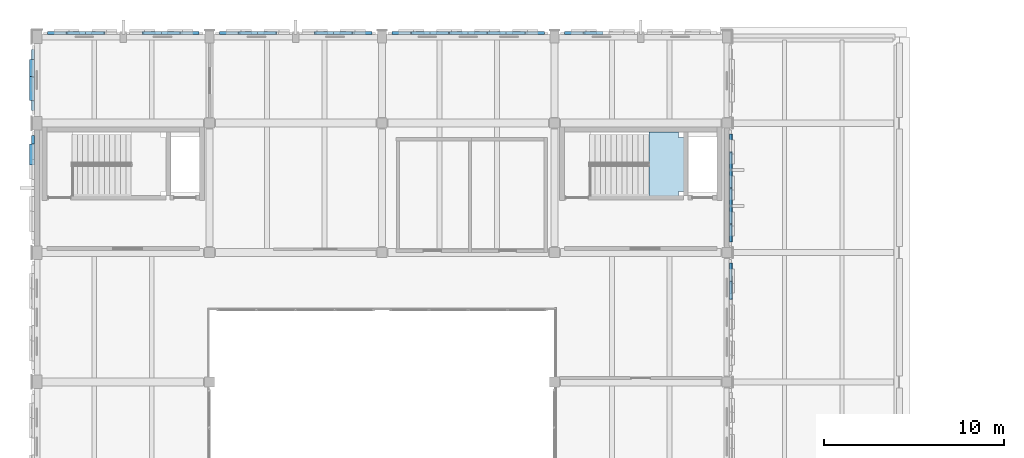
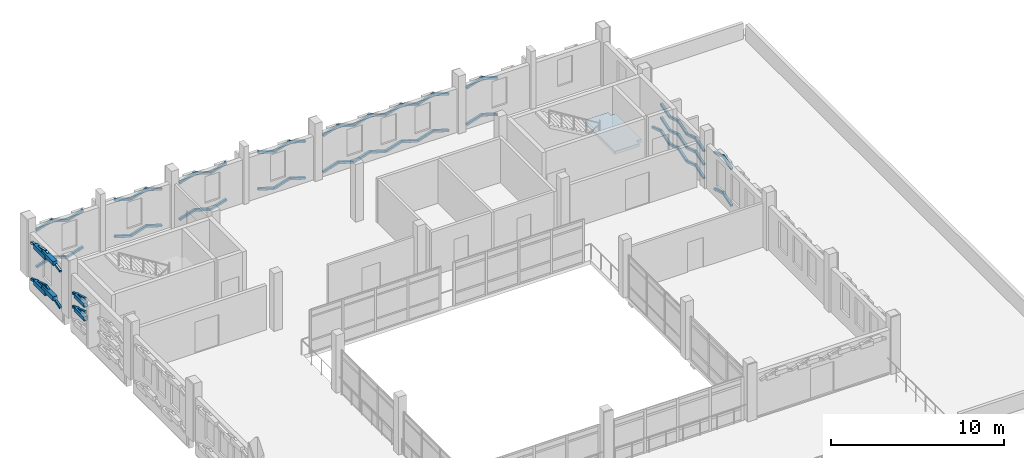
# One storey, part 31 of 50: 76 plates, 1 slab, 1 element without a shape of its own.
"""IFC4 building model written with IfcOpenShell, lengths in metres."""

from ifc_helpers import new_model, si_unit, direction, frame, origin, origin_2d, place, context, subcontext, project, spatial, polyline, rectangle, hollow_rectangle, outline, extrude, material, layer, layer_set, material_profile, profile_set, type_object, element, aggregate, save


model = new_model("IFC4")

# Units and contexts
model_context = context("Model", 3, precision=1e-05, world=origin(), true_north=direction((0.0, 1.0)))
body_context = subcontext(model_context, "Body", "Model", "MODEL_VIEW")
ifc_project = project(units=[si_unit("LENGTHUNIT", "METRE"), si_unit("AREAUNIT", "SQUARE_METRE"), si_unit("VOLUMEUNIT", "CUBIC_METRE"), si_unit("PLANEANGLEUNIT", "RADIAN"), si_unit("MASSUNIT", "GRAM", prefix="KILO")], contexts=[model_context])

# Site, building, storey
site_placement = place(None, origin())
site = spatial("IfcSite", under=ifc_project, at=site_placement, CompositionType="ELEMENT")
building_placement = place(site_placement, origin())
building = spatial("IfcBuilding", under=site, at=building_placement, Name="Asteropetra Specialist Clinic", CompositionType="ELEMENT")
storey_placement = place(building_placement, frame((0.0, 0.0, 16.659912109375)))
storey = spatial("IfcBuildingStorey", under=building, at=storey_placement, Name="L04", CompositionType="ELEMENT", Elevation=16.659912109375)

# Plates
ifc_material_1 = material(Name="Chevron emerald aluminium 6063-T6", Category="aluminium")
ifc_material_profile = material_profile(ifc_material_1, hollow_rectangle(XDim=0.159912109375, YDim=0.159912109375, WallThickness=0.008056640625, InnerFilletRadius=0.008056640625, OuterFilletRadius=0.01611328125, at=origin_2d()), Name="SHS 160x160x8.0")
ifc_profile_set = profile_set([ifc_material_profile], Name="Chevron emerald aluminium 6063-T6")
plate_type_1 = type_object("IfcPlateType", Name="CHV-RIB-160", PredefinedType="SHEET", material=ifc_profile_set)
plate_1_placement = place(storey_placement, frame((9.010009765625, 110.616943359375, 0.050048828125), z_axis=(-0.952021547516, 0.0, 0.306031000169), x_axis=(0.0, -1.0, 0.0)))
element("IfcPlate", 1, at=plate_1_placement, inside=storey, type_object=plate_type_1, Name="Chevron Facade Screen Fin CVR-1489", PredefinedType="SHEET", context=body_context, shape_type="SweptSolid", body=[
    extrude(hollow_rectangle(XDim=0.159912109375, YDim=0.159912109375, WallThickness=0.008056640625, InnerFilletRadius=0.008056640625, OuterFilletRadius=0.01611328125, at=origin_2d()), origin(), (0.0, 0.0, 1.0), 1.086669921875),
])
for number, where, z_axis, x_axis, name in (
    (2, (7.9755859375, 110.616943359375, 0.382568359375), (-0.952000497205, 0.0, -0.306096477147), (0.0, -1.0, 0.0), "Chevron Facade Screen Fin CVR-1490"),
    (3, (9.010009765625, 110.616943359375, 2.64013671875), (-0.952086993927, 0.0, 0.30582733036), (0.0, -1.0, 0.0), "Chevron Facade Screen Fin CVR-1491"),
):
    element("IfcPlate", number, at=place(storey_placement, frame(where, z_axis=z_axis, x_axis=x_axis)), inside=storey, type_object=plate_type_1, Name=name, PredefinedType="SHEET", context=body_context, shape_type="SweptSolid", body=[
        extrude(hollow_rectangle(XDim=0.159912109375, YDim=0.159912109375, WallThickness=0.008056640625, InnerFilletRadius=0.008056640625, OuterFilletRadius=0.01611328125, at=origin_2d()), origin(), (0.0, 0.0, 1.0), 1.08642578125),
    ])
plate_2_placement = place(storey_placement, frame((7.9755859375, 110.616943359375, 2.972412109375), z_axis=(-0.952065970179, 0.0, -0.305892772761), x_axis=(0.0, -1.0, 0.0)))
element("IfcPlate", 4, at=plate_2_placement, inside=storey, type_object=plate_type_1, Name="Chevron Facade Screen Fin CVR-1492", PredefinedType="SHEET", context=body_context, shape_type="SweptSolid", body=[
    extrude(hollow_rectangle(XDim=0.159912109375, YDim=0.159912109375, WallThickness=0.008056640625, InnerFilletRadius=0.008056640625, OuterFilletRadius=0.01611328125, at=origin_2d()), origin(), (0.0, 0.0, 1.0), 1.086181640625),
])
plate_3_placement = place(storey_placement, frame((6.9013671875, 110.616943359375, 0.050048828125), z_axis=(-0.952021547516, 0.0, 0.306031000169), x_axis=(0.0, -1.0, 0.0)))
element("IfcPlate", 5, at=plate_3_placement, inside=storey, type_object=plate_type_1, Name="Chevron Facade Screen Fin CVR-1493", PredefinedType="SHEET", context=body_context, shape_type="SweptSolid", body=[
    extrude(hollow_rectangle(XDim=0.159912109375, YDim=0.159912109375, WallThickness=0.008056640625, InnerFilletRadius=0.008056640625, OuterFilletRadius=0.01611328125, at=origin_2d()), origin(), (0.0, 0.0, 1.0), 1.086669921875),
])
plate_4_placement = place(storey_placement, frame((6.9013671875, 110.616943359375, 2.64013671875), z_axis=(-0.952086993927, 0.0, 0.30582733036), x_axis=(0.0, -1.0, 0.0)))
element("IfcPlate", 6, at=plate_4_placement, inside=storey, type_object=plate_type_1, Name="Chevron Facade Screen Fin CVR-1494", PredefinedType="SHEET", context=body_context, shape_type="SweptSolid", body=[
    extrude(hollow_rectangle(XDim=0.159912109375, YDim=0.159912109375, WallThickness=0.008056640625, InnerFilletRadius=0.008056640625, OuterFilletRadius=0.01611328125, at=origin_2d()), origin(), (0.0, 0.0, 1.0), 1.08642578125),
])
plate_5_placement = place(storey_placement, frame((3.758056640625, 110.616943359375, 0.382568359375), z_axis=(-0.952021547516, 0.0, -0.306031000169), x_axis=(0.0, -1.0, 0.0)))
element("IfcPlate", 7, at=plate_5_placement, inside=storey, type_object=plate_type_1, Name="Chevron Facade Screen Fin CVR-1495", PredefinedType="SHEET", context=body_context, shape_type="SweptSolid", body=[
    extrude(hollow_rectangle(XDim=0.159912109375, YDim=0.159912109375, WallThickness=0.008056640625, InnerFilletRadius=0.008056640625, OuterFilletRadius=0.01611328125, at=origin_2d()), origin(), (0.0, 0.0, 1.0), 1.086669921875),
])
plate_6_placement = place(storey_placement, frame((3.758056640625, 110.616943359375, 2.972412109375), z_axis=(-0.952086993927, 0.0, -0.30582733036), x_axis=(0.0, -1.0, 0.0)))
element("IfcPlate", 8, at=plate_6_placement, inside=storey, type_object=plate_type_1, Name="Chevron Facade Screen Fin CVR-1496", PredefinedType="SHEET", context=body_context, shape_type="SweptSolid", body=[
    extrude(hollow_rectangle(XDim=0.159912109375, YDim=0.159912109375, WallThickness=0.008056640625, InnerFilletRadius=0.008056640625, OuterFilletRadius=0.01611328125, at=origin_2d()), origin(), (0.0, 0.0, 1.0), 1.08642578125),
])
for number, where, z_axis, x_axis, name in (
    (9, (2.683837890625, 110.616943359375, 0.050048828125), (-0.952021547516, 0.0, 0.306031000169), (0.0, -1.0, 0.0), "Chevron Facade Screen Fin CVR-1497"),
    (10, (1.6494140625, 110.616943359375, 0.382568359375), (-0.952021547516, 0.0, -0.306031000169), (0.0, -1.0, 0.0), "Chevron Facade Screen Fin CVR-1498"),
):
    element("IfcPlate", number, at=place(storey_placement, frame(where, z_axis=z_axis, x_axis=x_axis)), inside=storey, type_object=plate_type_1, Name=name, PredefinedType="SHEET", context=body_context, shape_type="SweptSolid", body=[
        extrude(hollow_rectangle(XDim=0.159912109375, YDim=0.159912109375, WallThickness=0.008056640625, InnerFilletRadius=0.008056640625, OuterFilletRadius=0.01611328125, at=origin_2d()), origin(), (0.0, 0.0, 1.0), 1.086669921875),
    ])
for number, where, z_axis, x_axis, name in (
    (11, (2.683837890625, 110.616943359375, 2.64013671875), (-0.952086993927, 0.0, 0.30582733036), (0.0, -1.0, 0.0), "Chevron Facade Screen Fin CVR-1499"),
    (12, (1.6494140625, 110.616943359375, 2.972412109375), (-0.952086993927, 0.0, -0.30582733036), (0.0, -1.0, 0.0), "Chevron Facade Screen Fin CVR-1500"),
):
    element("IfcPlate", number, at=place(storey_placement, frame(where, z_axis=z_axis, x_axis=x_axis)), inside=storey, type_object=plate_type_1, Name=name, PredefinedType="SHEET", context=body_context, shape_type="SweptSolid", body=[
        extrude(hollow_rectangle(XDim=0.159912109375, YDim=0.159912109375, WallThickness=0.008056640625, InnerFilletRadius=0.008056640625, OuterFilletRadius=0.01611328125, at=origin_2d()), origin(), (0.0, 0.0, 1.0), 1.08642578125),
    ])
for number, where, z_axis, x_axis, name in (
    (13, (18.610107421875, 110.616943359375, 0.050048828125), (-0.952033222609, 0.0, 0.305994678137), (0.0, -1.0, 0.0), "Chevron Facade Screen Fin CVR-1501"),
    (14, (17.572509765625, 110.616943359375, 0.383544921875), (-0.952033222609, 0.0, -0.305994678137), (0.0, -1.0, 0.0), "Chevron Facade Screen Fin CVR-1502"),
    (15, (18.610107421875, 110.616943359375, 2.64013671875), (-0.952098462736, 0.0, 0.305791623914), (0.0, -1.0, 0.0), "Chevron Facade Screen Fin CVR-1503"),
    (16, (17.572509765625, 110.616943359375, 2.973388671875), (-0.952098462736, 0.0, -0.305791623914), (0.0, -1.0, 0.0), "Chevron Facade Screen Fin CVR-1504"),
    (17, (16.4951171875, 110.616943359375, 0.050048828125), (-0.952033222609, 0.0, 0.305994678137), (0.0, -1.0, 0.0), "Chevron Facade Screen Fin CVR-1505"),
    (18, (16.4951171875, 110.616943359375, 2.64013671875), (-0.952098462736, 0.0, 0.305791623914), (0.0, -1.0, 0.0), "Chevron Facade Screen Fin CVR-1506"),
    (19, (13.342529296875, 110.616943359375, 0.383544921875), (-0.952033222609, 0.0, -0.305994678137), (0.0, -1.0, 0.0), "Chevron Facade Screen Fin CVR-1507"),
    (20, (13.342529296875, 110.616943359375, 2.973388671875), (-0.952098462736, 0.0, -0.305791623914), (0.0, -1.0, 0.0), "Chevron Facade Screen Fin CVR-1508"),
):
    element("IfcPlate", number, at=place(storey_placement, frame(where, z_axis=z_axis, x_axis=x_axis)), inside=storey, type_object=plate_type_1, Name=name, PredefinedType="SHEET", context=body_context, shape_type="SweptSolid", body=[
        extrude(hollow_rectangle(XDim=0.159912109375, YDim=0.159912109375, WallThickness=0.008056640625, InnerFilletRadius=0.008056640625, OuterFilletRadius=0.01611328125, at=origin_2d()), origin(), (0.0, 0.0, 1.0), 1.08984375),
    ])
plate_7_placement = place(storey_placement, frame((12.264892578125, 110.616943359375, 0.050048828125), z_axis=(-0.952012241431, 0.0, 0.306059948646), x_axis=(0.0, -1.0, 0.0)))
element("IfcPlate", 21, at=plate_7_placement, inside=storey, type_object=plate_type_1, Name="Chevron Facade Screen Fin CVR-1509", PredefinedType="SHEET", context=body_context, shape_type="SweptSolid", body=[
    extrude(hollow_rectangle(XDim=0.159912109375, YDim=0.159912109375, WallThickness=0.008056640625, InnerFilletRadius=0.008056640625, OuterFilletRadius=0.01611328125, at=origin_2d()), origin(), (0.0, 0.0, 1.0), 1.089599609375),
])
plate_8_placement = place(storey_placement, frame((11.2275390625, 110.616943359375, 0.383544921875), z_axis=(-0.952033222609, 0.0, -0.305994678137), x_axis=(0.0, -1.0, 0.0)))
element("IfcPlate", 22, at=plate_8_placement, inside=storey, type_object=plate_type_1, Name="Chevron Facade Screen Fin CVR-1510", PredefinedType="SHEET", context=body_context, shape_type="SweptSolid", body=[
    extrude(hollow_rectangle(XDim=0.159912109375, YDim=0.159912109375, WallThickness=0.008056640625, InnerFilletRadius=0.008056640625, OuterFilletRadius=0.01611328125, at=origin_2d()), origin(), (0.0, 0.0, 1.0), 1.08984375),
])
plate_9_placement = place(storey_placement, frame((12.264892578125, 110.616943359375, 2.64013671875), z_axis=(-0.952077507958, 0.0, 0.305856860052), x_axis=(0.0, -1.0, 0.0)))
element("IfcPlate", 23, at=plate_9_placement, inside=storey, type_object=plate_type_1, Name="Chevron Facade Screen Fin CVR-1511", PredefinedType="SHEET", context=body_context, shape_type="SweptSolid", body=[
    extrude(hollow_rectangle(XDim=0.159912109375, YDim=0.159912109375, WallThickness=0.008056640625, InnerFilletRadius=0.008056640625, OuterFilletRadius=0.01611328125, at=origin_2d()), origin(), (0.0, 0.0, 1.0), 1.089599609375),
])
plate_10_placement = place(storey_placement, frame((11.2275390625, 110.616943359375, 2.973388671875), z_axis=(-0.952098462736, 0.0, -0.305791623914), x_axis=(0.0, -1.0, 0.0)))
element("IfcPlate", 24, at=plate_10_placement, inside=storey, type_object=plate_type_1, Name="Chevron Facade Screen Fin CVR-1512", PredefinedType="SHEET", context=body_context, shape_type="SweptSolid", body=[
    extrude(hollow_rectangle(XDim=0.159912109375, YDim=0.159912109375, WallThickness=0.008056640625, InnerFilletRadius=0.008056640625, OuterFilletRadius=0.01611328125, at=origin_2d()), origin(), (0.0, 0.0, 1.0), 1.08984375),
])
plate_11_placement = place(storey_placement, frame((28.2099609375, 110.616943359375, 0.050048828125), z_axis=(-0.952012241431, 0.0, 0.306059948646), x_axis=(0.0, -1.0, 0.0)))
element("IfcPlate", 25, at=plate_11_placement, inside=storey, type_object=plate_type_1, Name="Chevron Facade Screen Fin CVR-1513", PredefinedType="SHEET", context=body_context, shape_type="SweptSolid", body=[
    extrude(hollow_rectangle(XDim=0.159912109375, YDim=0.159912109375, WallThickness=0.008056640625, InnerFilletRadius=0.008056640625, OuterFilletRadius=0.01611328125, at=origin_2d()), origin(), (0.0, 0.0, 1.0), 1.089599609375),
])
plate_12_placement = place(storey_placement, frame((27.172607421875, 110.616943359375, 0.383544921875), z_axis=(-0.952033222609, 0.0, -0.305994678137), x_axis=(0.0, -1.0, 0.0)))
element("IfcPlate", 26, at=plate_12_placement, inside=storey, type_object=plate_type_1, Name="Chevron Facade Screen Fin CVR-1514", PredefinedType="SHEET", context=body_context, shape_type="SweptSolid", body=[
    extrude(hollow_rectangle(XDim=0.159912109375, YDim=0.159912109375, WallThickness=0.008056640625, InnerFilletRadius=0.008056640625, OuterFilletRadius=0.01611328125, at=origin_2d()), origin(), (0.0, 0.0, 1.0), 1.08984375),
])
plate_13_placement = place(storey_placement, frame((28.2099609375, 110.616943359375, 2.64013671875), z_axis=(-0.952077507958, 0.0, 0.305856860052), x_axis=(0.0, -1.0, 0.0)))
element("IfcPlate", 27, at=plate_13_placement, inside=storey, type_object=plate_type_1, Name="Chevron Facade Screen Fin CVR-1515", PredefinedType="SHEET", context=body_context, shape_type="SweptSolid", body=[
    extrude(hollow_rectangle(XDim=0.159912109375, YDim=0.159912109375, WallThickness=0.008056640625, InnerFilletRadius=0.008056640625, OuterFilletRadius=0.01611328125, at=origin_2d()), origin(), (0.0, 0.0, 1.0), 1.089599609375),
])
plate_14_placement = place(storey_placement, frame((27.172607421875, 110.616943359375, 2.973388671875), z_axis=(-0.952098462736, 0.0, -0.305791623914), x_axis=(0.0, -1.0, 0.0)))
element("IfcPlate", 28, at=plate_14_placement, inside=storey, type_object=plate_type_1, Name="Chevron Facade Screen Fin CVR-1516", PredefinedType="SHEET", context=body_context, shape_type="SweptSolid", body=[
    extrude(hollow_rectangle(XDim=0.159912109375, YDim=0.159912109375, WallThickness=0.008056640625, InnerFilletRadius=0.008056640625, OuterFilletRadius=0.01611328125, at=origin_2d()), origin(), (0.0, 0.0, 1.0), 1.08984375),
])
plate_15_placement = place(storey_placement, frame((26.094970703125, 110.616943359375, 0.050048828125), z_axis=(-0.952012241431, 0.0, 0.306059948646), x_axis=(0.0, -1.0, 0.0)))
element("IfcPlate", 29, at=plate_15_placement, inside=storey, type_object=plate_type_1, Name="Chevron Facade Screen Fin CVR-1517", PredefinedType="SHEET", context=body_context, shape_type="SweptSolid", body=[
    extrude(hollow_rectangle(XDim=0.159912109375, YDim=0.159912109375, WallThickness=0.008056640625, InnerFilletRadius=0.008056640625, OuterFilletRadius=0.01611328125, at=origin_2d()), origin(), (0.0, 0.0, 1.0), 1.089599609375),
])
plate_16_placement = place(storey_placement, frame((25.0576171875, 110.616943359375, 0.383544921875), z_axis=(-0.952033222609, 0.0, -0.305994678137), x_axis=(0.0, -1.0, 0.0)))
element("IfcPlate", 30, at=plate_16_placement, inside=storey, type_object=plate_type_1, Name="Chevron Facade Screen Fin CVR-1518", PredefinedType="SHEET", context=body_context, shape_type="SweptSolid", body=[
    extrude(hollow_rectangle(XDim=0.159912109375, YDim=0.159912109375, WallThickness=0.008056640625, InnerFilletRadius=0.008056640625, OuterFilletRadius=0.01611328125, at=origin_2d()), origin(), (0.0, 0.0, 1.0), 1.08984375),
])
plate_17_placement = place(storey_placement, frame((26.094970703125, 110.616943359375, 2.64013671875), z_axis=(-0.952077507958, 0.0, 0.305856860052), x_axis=(0.0, -1.0, 0.0)))
element("IfcPlate", 31, at=plate_17_placement, inside=storey, type_object=plate_type_1, Name="Chevron Facade Screen Fin CVR-1519", PredefinedType="SHEET", context=body_context, shape_type="SweptSolid", body=[
    extrude(hollow_rectangle(XDim=0.159912109375, YDim=0.159912109375, WallThickness=0.008056640625, InnerFilletRadius=0.008056640625, OuterFilletRadius=0.01611328125, at=origin_2d()), origin(), (0.0, 0.0, 1.0), 1.089599609375),
])
for number, where, z_axis, x_axis, name in (
    (32, (25.0576171875, 110.616943359375, 2.973388671875), (-0.952098462736, 0.0, -0.305791623914), (0.0, -1.0, 0.0), "Chevron Facade Screen Fin CVR-1520"),
    (33, (23.97998046875, 110.616943359375, 0.050048828125), (-0.952033222609, 0.0, 0.305994678137), (0.0, -1.0, 0.0), "Chevron Facade Screen Fin CVR-1521"),
):
    element("IfcPlate", number, at=place(storey_placement, frame(where, z_axis=z_axis, x_axis=x_axis)), inside=storey, type_object=plate_type_1, Name=name, PredefinedType="SHEET", context=body_context, shape_type="SweptSolid", body=[
        extrude(hollow_rectangle(XDim=0.159912109375, YDim=0.159912109375, WallThickness=0.008056640625, InnerFilletRadius=0.008056640625, OuterFilletRadius=0.01611328125, at=origin_2d()), origin(), (0.0, 0.0, 1.0), 1.08984375),
    ])
plate_18_placement = place(storey_placement, frame((22.9423828125, 110.616943359375, 0.383544921875), z_axis=(-0.952012241431, 0.0, -0.306059948646), x_axis=(0.0, -1.0, 0.0)))
element("IfcPlate", 34, at=plate_18_placement, inside=storey, type_object=plate_type_1, Name="Chevron Facade Screen Fin CVR-1522", PredefinedType="SHEET", context=body_context, shape_type="SweptSolid", body=[
    extrude(hollow_rectangle(XDim=0.159912109375, YDim=0.159912109375, WallThickness=0.008056640625, InnerFilletRadius=0.008056640625, OuterFilletRadius=0.01611328125, at=origin_2d()), origin(), (0.0, 0.0, 1.0), 1.089599609375),
])
plate_19_placement = place(storey_placement, frame((23.97998046875, 110.616943359375, 2.64013671875), z_axis=(-0.952098462736, 0.0, 0.305791623914), x_axis=(0.0, -1.0, 0.0)))
element("IfcPlate", 35, at=plate_19_placement, inside=storey, type_object=plate_type_1, Name="Chevron Facade Screen Fin CVR-1523", PredefinedType="SHEET", context=body_context, shape_type="SweptSolid", body=[
    extrude(hollow_rectangle(XDim=0.159912109375, YDim=0.159912109375, WallThickness=0.008056640625, InnerFilletRadius=0.008056640625, OuterFilletRadius=0.01611328125, at=origin_2d()), origin(), (0.0, 0.0, 1.0), 1.08984375),
])
plate_20_placement = place(storey_placement, frame((22.9423828125, 110.616943359375, 2.973388671875), z_axis=(-0.952077507958, 0.0, -0.305856860052), x_axis=(0.0, -1.0, 0.0)))
element("IfcPlate", 36, at=plate_20_placement, inside=storey, type_object=plate_type_1, Name="Chevron Facade Screen Fin CVR-1524", PredefinedType="SHEET", context=body_context, shape_type="SweptSolid", body=[
    extrude(hollow_rectangle(XDim=0.159912109375, YDim=0.159912109375, WallThickness=0.008056640625, InnerFilletRadius=0.008056640625, OuterFilletRadius=0.01611328125, at=origin_2d()), origin(), (0.0, 0.0, 1.0), 1.089599609375),
])
plate_21_placement = place(storey_placement, frame((21.864990234375, 110.616943359375, 0.050048828125), z_axis=(-0.952033222609, 0.0, 0.305994678137), x_axis=(0.0, -1.0, 0.0)))
element("IfcPlate", 37, at=plate_21_placement, inside=storey, type_object=plate_type_1, Name="Chevron Facade Screen Fin CVR-1525", PredefinedType="SHEET", context=body_context, shape_type="SweptSolid", body=[
    extrude(hollow_rectangle(XDim=0.159912109375, YDim=0.159912109375, WallThickness=0.008056640625, InnerFilletRadius=0.008056640625, OuterFilletRadius=0.01611328125, at=origin_2d()), origin(), (0.0, 0.0, 1.0), 1.08984375),
])
plate_22_placement = place(storey_placement, frame((20.827392578125, 110.616943359375, 0.383544921875), z_axis=(-0.952012241431, 0.0, -0.306059948646), x_axis=(0.0, -1.0, 0.0)))
element("IfcPlate", 38, at=plate_22_placement, inside=storey, type_object=plate_type_1, Name="Chevron Facade Screen Fin CVR-1526", PredefinedType="SHEET", context=body_context, shape_type="SweptSolid", body=[
    extrude(hollow_rectangle(XDim=0.159912109375, YDim=0.159912109375, WallThickness=0.008056640625, InnerFilletRadius=0.008056640625, OuterFilletRadius=0.01611328125, at=origin_2d()), origin(), (0.0, 0.0, 1.0), 1.089599609375),
])
plate_23_placement = place(storey_placement, frame((21.864990234375, 110.616943359375, 2.64013671875), z_axis=(-0.952098462736, 0.0, 0.305791623914), x_axis=(0.0, -1.0, 0.0)))
element("IfcPlate", 39, at=plate_23_placement, inside=storey, type_object=plate_type_1, Name="Chevron Facade Screen Fin CVR-1527", PredefinedType="SHEET", context=body_context, shape_type="SweptSolid", body=[
    extrude(hollow_rectangle(XDim=0.159912109375, YDim=0.159912109375, WallThickness=0.008056640625, InnerFilletRadius=0.008056640625, OuterFilletRadius=0.01611328125, at=origin_2d()), origin(), (0.0, 0.0, 1.0), 1.08984375),
])
plate_24_placement = place(storey_placement, frame((20.827392578125, 110.616943359375, 2.973388671875), z_axis=(-0.952077507958, 0.0, -0.305856860052), x_axis=(0.0, -1.0, 0.0)))
element("IfcPlate", 40, at=plate_24_placement, inside=storey, type_object=plate_type_1, Name="Chevron Facade Screen Fin CVR-1528", PredefinedType="SHEET", context=body_context, shape_type="SweptSolid", body=[
    extrude(hollow_rectangle(XDim=0.159912109375, YDim=0.159912109375, WallThickness=0.008056640625, InnerFilletRadius=0.008056640625, OuterFilletRadius=0.01611328125, at=origin_2d()), origin(), (0.0, 0.0, 1.0), 1.089599609375),
])
for number, where, z_axis, x_axis, name in (
    (41, (31.465087890625, 110.616943359375, 0.050048828125), (-0.952033222609, 0.0, 0.305994678137), (0.0, -1.0, 0.0), "Chevron Facade Screen Fin CVR-1545"),
    (42, (30.427490234375, 110.616943359375, 0.383544921875), (-0.952033222609, 0.0, -0.305994678137), (0.0, -1.0, 0.0), "Chevron Facade Screen Fin CVR-1546"),
    (43, (31.465087890625, 110.616943359375, 2.64013671875), (-0.952098462736, 0.0, 0.305791623914), (0.0, -1.0, 0.0), "Chevron Facade Screen Fin CVR-1547"),
    (44, (30.427490234375, 110.616943359375, 2.973388671875), (-0.952098462736, 0.0, -0.305791623914), (0.0, -1.0, 0.0), "Chevron Facade Screen Fin CVR-1548"),
):
    element("IfcPlate", number, at=place(storey_placement, frame(where, z_axis=z_axis, x_axis=x_axis)), inside=storey, type_object=plate_type_1, Name=name, PredefinedType="SHEET", context=body_context, shape_type="SweptSolid", body=[
        extrude(hollow_rectangle(XDim=0.159912109375, YDim=0.159912109375, WallThickness=0.008056640625, InnerFilletRadius=0.008056640625, OuterFilletRadius=0.01611328125, at=origin_2d()), origin(), (0.0, 0.0, 1.0), 1.08984375),
    ])
plate_25_placement = place(storey_placement, frame((38.616943359375, 95.82177734375, 0.050048828125), z_axis=(0.0, 0.951900364266, 0.306407729194), x_axis=(-1.0, 0.0, 0.0)))
element("IfcPlate", 45, at=plate_25_placement, inside=storey, type_object=plate_type_1, Name="Chevron Facade Screen Fin CVR-1605", PredefinedType="SHEET", context=body_context, shape_type="SweptSolid", body=[
    extrude(hollow_rectangle(XDim=0.159912109375, YDim=0.159912109375, WallThickness=0.008056640625, InnerFilletRadius=0.008056640625, OuterFilletRadius=0.01611328125, at=origin_2d()), origin(), (0.0, 0.0, 1.0), 1.031005859375),
])
plate_26_placement = place(storey_placement, frame((38.616943359375, 96.80322265625, 0.365966796875), z_axis=(0.0, 0.951922588053, -0.306338679169), x_axis=(-1.0, 0.0, 0.0)))
element("IfcPlate", 46, at=plate_26_placement, inside=storey, type_object=plate_type_1, Name="Chevron Facade Screen Fin CVR-1606", PredefinedType="SHEET", context=body_context, shape_type="SweptSolid", body=[
    extrude(hollow_rectangle(XDim=0.159912109375, YDim=0.159912109375, WallThickness=0.008056640625, InnerFilletRadius=0.008056640625, OuterFilletRadius=0.01611328125, at=origin_2d()), origin(), (0.0, 0.0, 1.0), 1.03125),
])
plate_27_placement = place(storey_placement, frame((38.616943359375, 95.82177734375, 2.64013671875), z_axis=(0.0, 0.951969409874, 0.306193146012), x_axis=(-1.0, 0.0, 0.0)))
element("IfcPlate", 47, at=plate_27_placement, inside=storey, type_object=plate_type_1, Name="Chevron Facade Screen Fin CVR-1607", PredefinedType="SHEET", context=body_context, shape_type="SweptSolid", body=[
    extrude(hollow_rectangle(XDim=0.159912109375, YDim=0.159912109375, WallThickness=0.008056640625, InnerFilletRadius=0.008056640625, OuterFilletRadius=0.01611328125, at=origin_2d()), origin(), (0.0, 0.0, 1.0), 1.031005859375),
])
plate_28_placement = place(storey_placement, frame((38.616943359375, 96.80322265625, 2.955810546875), z_axis=(0.0, 0.951991604152, -0.306124134337), x_axis=(-1.0, 0.0, 0.0)))
element("IfcPlate", 48, at=plate_28_placement, inside=storey, type_object=plate_type_1, Name="Chevron Facade Screen Fin CVR-1608", PredefinedType="SHEET", context=body_context, shape_type="SweptSolid", body=[
    extrude(hollow_rectangle(XDim=0.159912109375, YDim=0.159912109375, WallThickness=0.008056640625, InnerFilletRadius=0.008056640625, OuterFilletRadius=0.01611328125, at=origin_2d()), origin(), (0.0, 0.0, 1.0), 1.03125),
])
for number, where, z_axis, x_axis, name in (
    (49, (-0.217041015625, 104.885009765625, 1.02001953125), (0.0, -0.952507040007, 0.304516565619), (1.0, 0.0, 0.0), "Chevron Facade Screen Fin CVR-1611"),
    (50, (-0.217041015625, 104.885009765625, 1.97998046875), (0.0, -0.952507040007, 0.304516565619), (1.0, 0.0, 0.0), "Chevron Facade Screen Fin CVR-1613"),
):
    element("IfcPlate", number, at=place(storey_placement, frame(where, z_axis=z_axis, x_axis=x_axis)), inside=storey, type_object=plate_type_1, Name=name, PredefinedType="SHEET", context=body_context, shape_type="SweptSolid", body=[
        extrude(hollow_rectangle(XDim=0.159912109375, YDim=0.159912109375, WallThickness=0.008056640625, InnerFilletRadius=0.008056640625, OuterFilletRadius=0.01611328125, at=origin_2d()), origin(), (0.0, 0.0, 1.0), 1.504150390625),
    ])
for number, where, z_axis, x_axis, name in (
    (51, (38.616943359375, 99.014892578125, 0.06005859375), (0.0, 0.951922588053, 0.306338679169), (-1.0, 0.0, 0.0), "Chevron Facade Screen Fin CVR-1621"),
    (52, (38.616943359375, 99.99658203125, 0.3759765625), (0.0, 0.951922588053, -0.306338679169), (-1.0, 0.0, 0.0), "Chevron Facade Screen Fin CVR-1622"),
    (53, (38.616943359375, 99.014892578125, 1.02001953125), (0.0, 0.951922588053, 0.306338679169), (-1.0, 0.0, 0.0), "Chevron Facade Screen Fin CVR-1623"),
    (54, (38.616943359375, 99.99658203125, 1.3359375), (0.0, 0.951922588053, -0.306338679169), (-1.0, 0.0, 0.0), "Chevron Facade Screen Fin CVR-1624"),
    (55, (38.616943359375, 99.014892578125, 1.97998046875), (0.0, 0.951922588053, 0.306338679169), (-1.0, 0.0, 0.0), "Chevron Facade Screen Fin CVR-1625"),
    (56, (38.616943359375, 99.99658203125, 2.2958984375), (0.0, 0.951922588053, -0.306338679169), (-1.0, 0.0, 0.0), "Chevron Facade Screen Fin CVR-1626"),
    (57, (38.616943359375, 101.018310546875, 0.06005859375), (0.0, 0.951922588053, 0.306338679169), (-1.0, 0.0, 0.0), "Chevron Facade Screen Fin CVR-1627"),
    (58, (38.616943359375, 102.0, 0.3759765625), (0.0, 0.951922588053, -0.306338679169), (-1.0, 0.0, 0.0), "Chevron Facade Screen Fin CVR-1628"),
    (59, (38.616943359375, 101.018310546875, 1.02001953125), (0.0, 0.951922588053, 0.306338679169), (-1.0, 0.0, 0.0), "Chevron Facade Screen Fin CVR-1629"),
    (60, (38.616943359375, 102.0, 1.3359375), (0.0, 0.951922588053, -0.306338679169), (-1.0, 0.0, 0.0), "Chevron Facade Screen Fin CVR-1630"),
    (61, (38.616943359375, 101.018310546875, 1.97998046875), (0.0, 0.951922588053, 0.306338679169), (-1.0, 0.0, 0.0), "Chevron Facade Screen Fin CVR-1631"),
    (62, (38.616943359375, 102.0, 2.2958984375), (0.0, 0.951922588053, -0.306338679169), (-1.0, 0.0, 0.0), "Chevron Facade Screen Fin CVR-1632"),
    (63, (38.616943359375, 103.021728515625, 0.06005859375), (0.0, 0.951922588053, 0.306338679169), (-1.0, 0.0, 0.0), "Chevron Facade Screen Fin CVR-1633"),
    (64, (38.616943359375, 104.00341796875, 0.3759765625), (0.0, 0.951922588053, -0.306338679169), (-1.0, 0.0, 0.0), "Chevron Facade Screen Fin CVR-1634"),
    (65, (38.616943359375, 103.021728515625, 1.02001953125), (0.0, 0.951922588053, 0.306338679169), (-1.0, 0.0, 0.0), "Chevron Facade Screen Fin CVR-1635"),
    (66, (38.616943359375, 103.021728515625, 1.97998046875), (0.0, 0.951922588053, 0.306338679169), (-1.0, 0.0, 0.0), "Chevron Facade Screen Fin CVR-1637"),
):
    element("IfcPlate", number, at=place(storey_placement, frame(where, z_axis=z_axis, x_axis=x_axis)), inside=storey, type_object=plate_type_1, Name=name, PredefinedType="SHEET", context=body_context, shape_type="SweptSolid", body=[
        extrude(hollow_rectangle(XDim=0.159912109375, YDim=0.159912109375, WallThickness=0.008056640625, InnerFilletRadius=0.008056640625, OuterFilletRadius=0.01611328125, at=origin_2d()), origin(), (0.0, 0.0, 1.0), 1.03125),
    ])
for number, where, z_axis, x_axis, name in (
    (67, (-0.217041015625, 109.68505859375, 0.050048828125), (0.0, -0.952689829529, 0.303944219737), (1.0, 0.0, 0.0), "Chevron Facade Screen Fin CVR-1639"),
    (68, (-0.217041015625, 108.0, 0.587646484375), (0.0, -0.952689829529, -0.303944219737), (1.0, 0.0, 0.0), "Chevron Facade Screen Fin CVR-1640"),
):
    element("IfcPlate", number, at=place(storey_placement, frame(where, z_axis=z_axis, x_axis=x_axis)), inside=storey, type_object=plate_type_1, Name=name, PredefinedType="SHEET", context=body_context, shape_type="SweptSolid", body=[
        extrude(hollow_rectangle(XDim=0.159912109375, YDim=0.159912109375, WallThickness=0.008056640625, InnerFilletRadius=0.008056640625, OuterFilletRadius=0.01611328125, at=origin_2d()), origin(), (0.0, 0.0, 1.0), 1.768798828125),
    ])
for number, where, z_axis, x_axis, name in (
    (69, (-0.217041015625, 109.68505859375, 2.64013671875), (0.0, -0.974260183672, 0.225426472519), (1.0, 0.0, 0.0), "Chevron Facade Screen Fin CVR-1641"),
    (70, (-0.217041015625, 108.0, 3.030029296875), (0.0, -0.974260183672, -0.225426472519), (1.0, 0.0, 0.0), "Chevron Facade Screen Fin CVR-1642"),
):
    element("IfcPlate", number, at=place(storey_placement, frame(where, z_axis=z_axis, x_axis=x_axis)), inside=storey, type_object=plate_type_1, Name=name, PredefinedType="SHEET", context=body_context, shape_type="SweptSolid", body=[
        extrude(hollow_rectangle(XDim=0.159912109375, YDim=0.159912109375, WallThickness=0.008056640625, InnerFilletRadius=0.008056640625, OuterFilletRadius=0.01611328125, at=origin_2d()), origin(), (0.0, 0.0, 1.0), 1.7294921875),
    ])
ifc_material_2 = material(Name="Aluminium 6063-T6", Category="aluminium")
ifc_layer_1 = layer(ifc_material_2, 0.139892578125)
ifc_layer_set_1 = layer_set([ifc_layer_1], Name="Aluminium 6063-T6")
plate_type_2 = type_object("IfcPlateType", Name="PLT-CHV-TILE", PredefinedType="SHEET", material=ifc_layer_set_1)
for number, where, z_axis, x_axis, name in (
    (71, (-0.27490234375, 103.853515625, 1.00732421875), (0.0, 0.0, 1.0), (1.0, 0.0, 0.0), "Chevron Ceramic Panel CPT-1317"),
    (72, (-0.27490234375, 103.853515625, 1.96728515625), (0.0, 0.0, 1.0), (1.0, 0.0, 0.0), "Chevron Ceramic Panel CPT-1319"),
):
    element("IfcPlate", number, at=place(storey_placement, frame(where, z_axis=z_axis, x_axis=x_axis)), inside=storey, type_object=plate_type_2, Name=name, PredefinedType="SHEET", context=body_context, shape_type="SweptSolid", body=[
        extrude(rectangle(XDim=0.280029296875, YDim=1.14599609375, at=origin_2d()), origin(), (0.0, 0.0, 1.0), 0.300048828125),
    ])
for number, where, z_axis, x_axis, name in (
    (73, (-0.27490234375, 108.4716796875, 0.0615234375), (0.0, 0.0, 1.0), (1.0, 0.0, 0.0), "Chevron Ceramic Panel CPT-1345"),
    (74, (-0.27490234375, 107.5283203125, 0.265625), (0.0, 0.0, 1.0), (1.0, 0.0, 0.0), "Chevron Ceramic Panel CPT-1346"),
    (75, (-0.27490234375, 108.4716796875, 2.60693359375), (0.0, 0.0, 1.0), (1.0, 0.0, 0.0), "Chevron Ceramic Panel CPT-1347"),
    (76, (-0.27490234375, 107.5283203125, 2.75537109375), (0.0, 0.0, 1.0), (1.0, 0.0, 0.0), "Chevron Ceramic Panel CPT-1348"),
):
    element("IfcPlate", number, at=place(storey_placement, frame(where, z_axis=z_axis, x_axis=x_axis)), inside=storey, type_object=plate_type_2, Name=name, PredefinedType="SHEET", context=body_context, shape_type="SweptSolid", body=[
        extrude(rectangle(XDim=0.280029296875, YDim=1.347900390625, at=origin_2d()), origin(), (0.0, 0.0, 1.0), 0.300048828125),
    ])

# Stair, slab
ifc_material_3 = material(Name="Concrete C35/45", Category="concrete")
stair_type = type_object("IfcStairType", Name="STR-DOG-165", PredefinedType="TWO_STRAIGHT_RUN_STAIR", material=ifc_material_3)
stair_placement = place(storey_placement, origin())
stair = element("IfcStair", 77, at=stair_placement, inside=storey, type_object=stair_type, Name="Type I Stair ST02-L04", PredefinedType="TWO_STRAIGHT_RUN_STAIR")
ifc_material_4 = material(Name="Concrete C35/45", Category="concrete")
ifc_layer_2 = layer(ifc_material_4, 0.199951171875)
ifc_layer_set_2 = layer_set([ifc_layer_2], Name="Concrete C35/45")
slab_type = type_object("IfcSlabType", Name="SLB-LND-200", PredefinedType="LANDING", material=ifc_layer_set_2)
slab_placement = place(storey_placement, frame((0.0, 0.0, 1.840087890625)))
slab = element("IfcSlab", 78, at=slab_placement, type_object=slab_type, Name="ST02-L04 landing 1", PredefinedType="LANDING", context=body_context, shape_type="SweptSolid", body=[
    extrude(outline(polyline([(34.050048828125, 101.469970703125), (35.699951171875, 101.469970703125), (35.699951171875, 101.7900390625), (36.02001953125, 101.7900390625), (36.02001953125, 104.7900390625), (35.699951171875, 104.7900390625), (35.699951171875, 105.110107421875), (34.050048828125, 105.110107421875), (34.050048828125, 101.469970703125)])), origin(), (0.0, 0.0, 1.0), 0.199951171875),
])
aggregate(stair, [slab])

save(model, "model.ifc")
